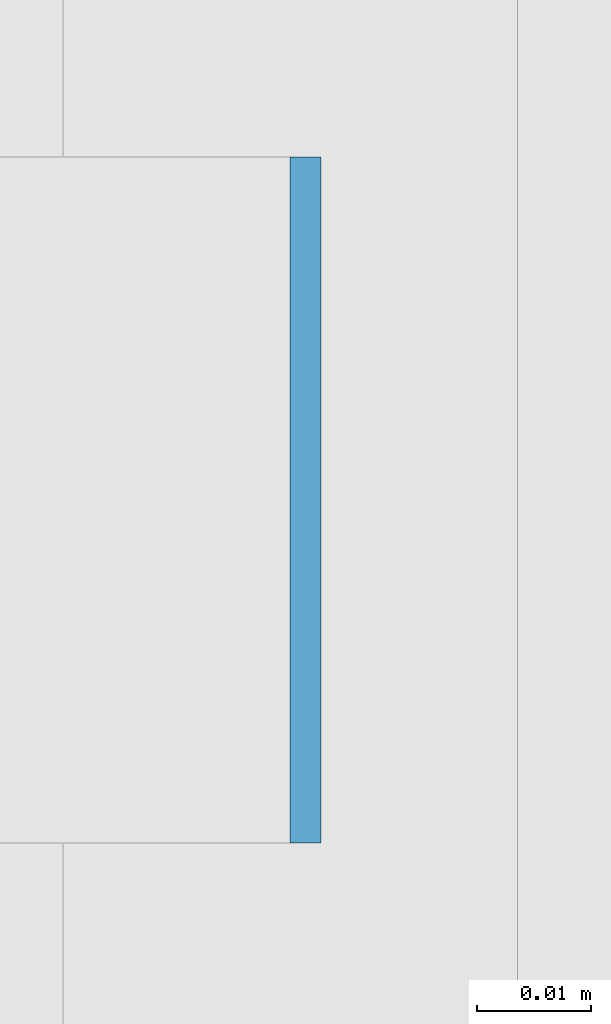
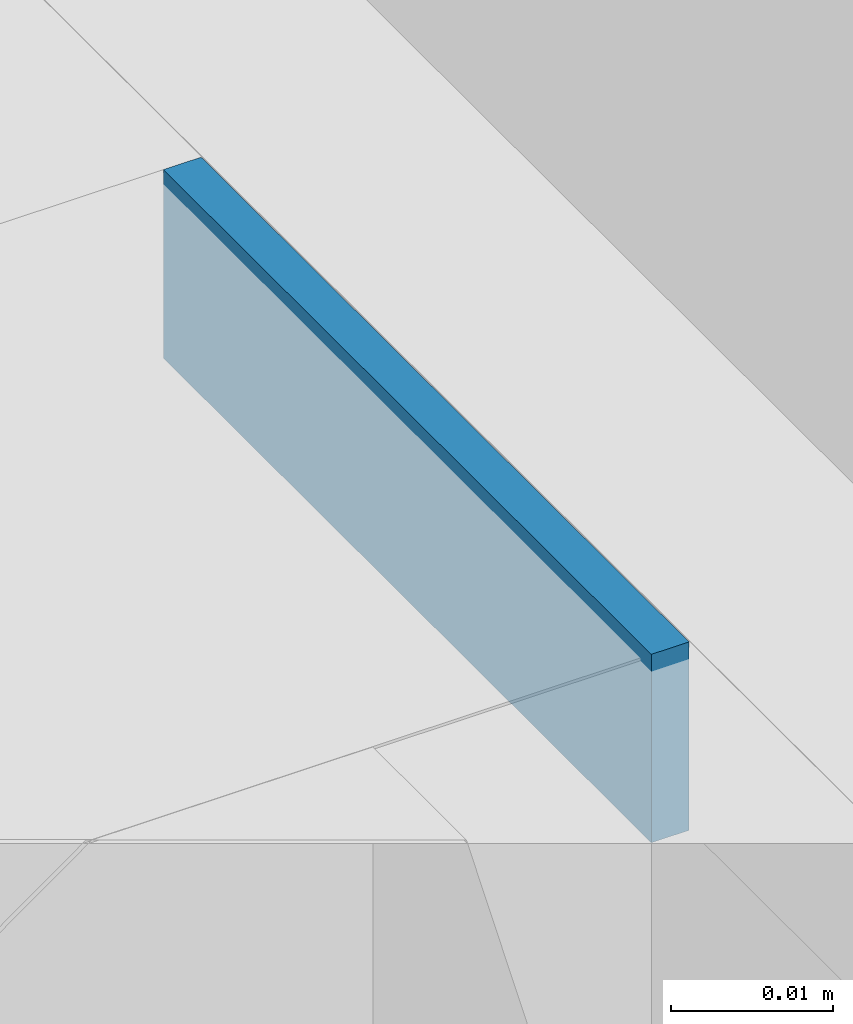
# One storey, part 415 of 646: 1 discrete accessory.
"""IFC4 building model written with IfcOpenShell, lengths in metres."""

from ifc_helpers import new_model, si_unit, direction, frame, origin, origin_2d, place, context, subcontext, project, spatial, rectangle, extrude, material, type_object, element, save


model = new_model("IFC4")

# Units and contexts
model_context = context("Model", 3, precision=1e-05, world=origin(), true_north=direction((0.0, 1.0)))
body_context = subcontext(model_context, "Body", "Model", "MODEL_VIEW")
ifc_project = project(units=[si_unit("LENGTHUNIT", "METRE"), si_unit("AREAUNIT", "SQUARE_METRE"), si_unit("VOLUMEUNIT", "CUBIC_METRE"), si_unit("PLANEANGLEUNIT", "RADIAN"), si_unit("MASSUNIT", "GRAM", prefix="KILO")], contexts=[model_context])

# Site, building, storey
site_placement = place(None, origin())
site = spatial("IfcSite", under=ifc_project, at=site_placement, CompositionType="ELEMENT")
building_placement = place(site_placement, origin())
building = spatial("IfcBuilding", under=site, at=building_placement, Name="Silverbay Arena", CompositionType="ELEMENT")
storey_placement = place(building_placement, frame((0.0, 0.0, 33.5)))
storey = spatial("IfcBuildingStorey", under=building, at=storey_placement, Name="L05", CompositionType="ELEMENT", Elevation=33.5)

# Discrete accessory
ifc_material = material(Name="Steel S355", Category="steel")
discrete_accessory_type = type_object("IfcDiscreteAccessoryType", Name="Steel bracket plate", PredefinedType="BRACKET", material=ifc_material)
discrete_accessory_placement = place(storey_placement, frame((53.871337890625, 127.433349609375, 12.98583984375), z_axis=(0.0, 0.0, 1.0), x_axis=(1.0, 0.0, 0.0)))
element("IfcDiscreteAccessory", 1, at=discrete_accessory_placement, inside=storey, type_object=discrete_accessory_type, Name="Curtain wall packing plate", PredefinedType="BRACKET", context=body_context, shape_type="SweptSolid", body=[
    extrude(rectangle(XDim=0.002685546875, YDim=0.06005859375, at=origin_2d()), origin(), (0.0, 0.0, 1.0), 0.01416015625),
])

save(model, "model.ifc")
